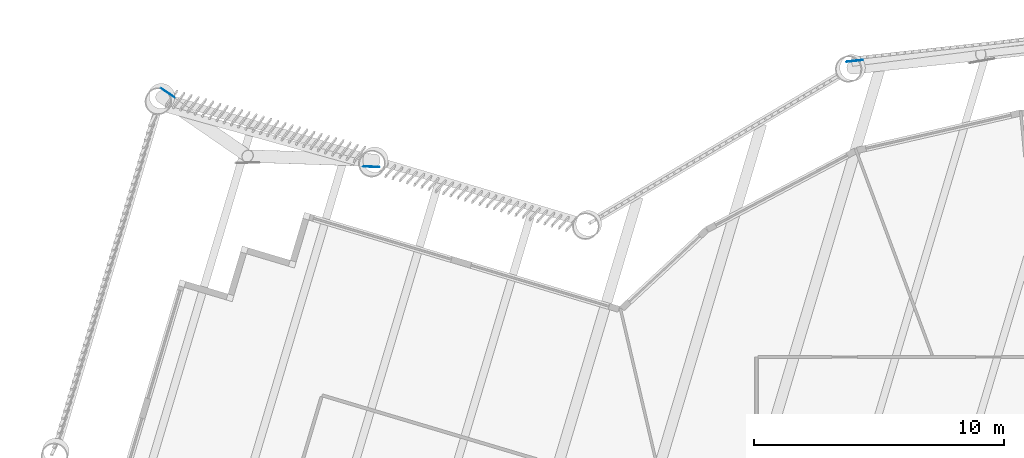
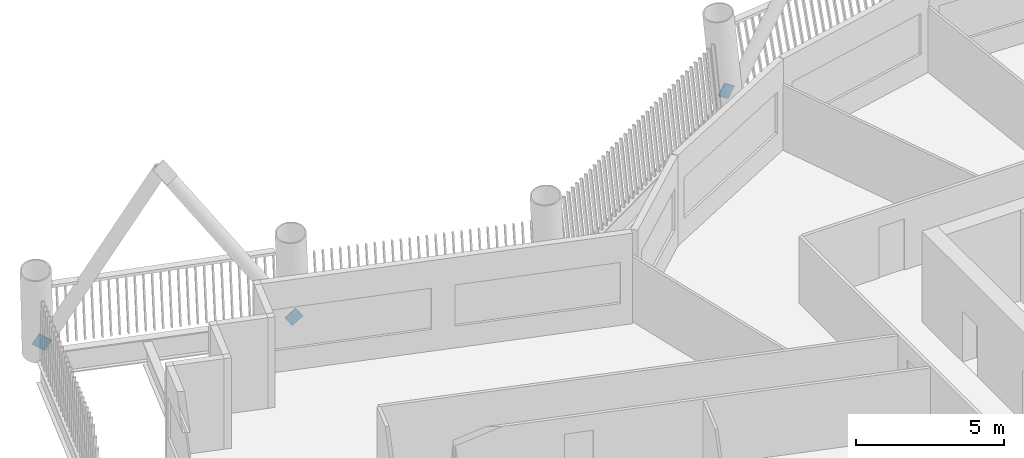
# One storey, part 15 of 24: 3 discrete accessories.
"""IFC4 building model written with IfcOpenShell, lengths in metres."""

from ifc_helpers import new_model, si_unit, direction, frame, origin, origin_2d, place, context, subcontext, project, spatial, rectangle, extrude, material, material_profile, profile_set, type_object, element, save


model = new_model("IFC4")

# Units and contexts
model_context = context("Model", 3, precision=1e-05, world=origin(), true_north=direction((0.0, 1.0)))
body_context = subcontext(model_context, "Body", "Model", "MODEL_VIEW")
ifc_project = project(units=[si_unit("LENGTHUNIT", "METRE"), si_unit("AREAUNIT", "SQUARE_METRE"), si_unit("VOLUMEUNIT", "CUBIC_METRE"), si_unit("PLANEANGLEUNIT", "RADIAN"), si_unit("MASSUNIT", "GRAM", prefix="KILO")], contexts=[model_context])

# Site, building, storey
site_placement = place(None, origin())
site = spatial("IfcSite", under=ifc_project, at=site_placement, CompositionType="ELEMENT")
building_placement = place(site_placement, origin())
building = spatial("IfcBuilding", under=site, at=building_placement, Name="Tarsis Ring Headquarters", CompositionType="ELEMENT")
storey_placement = place(building_placement, frame((0.0, 0.0, 216.0)))
storey = spatial("IfcBuildingStorey", under=building, at=storey_placement, Name="L50", CompositionType="ELEMENT", Elevation=216.0)

# Discrete accessories
ifc_material = material(Name="Structural steel S355", Category="steel")
ifc_material_profile = material_profile(ifc_material, rectangle(XDim=0.02490234375, YDim=0.5, at=origin_2d()), Name="PL 25x500")
ifc_profile_set = profile_set([ifc_material_profile], Name="Structural steel S355")
discrete_accessory_type = type_object("IfcDiscreteAccessoryType", Name="Gusset plate Exo brace 25", PredefinedType="BRACKET", material=ifc_profile_set)
for number, where, z_axis, x_axis, name in (
    (1, (-9.210693359375, 27.823974609375, 0.0), (0.549685374684, 0.058581034602, 0.833315217216), (-0.105971843431, 0.994369130856, 0.0), "Gusset plate GP5"),
    (2, (-28.265625, 23.60107421875, 0.0), (-0.546357345517, 0.018065435017, 0.837357325792), (-0.033047176351, -0.999453792897, 0.0), "Gusset plate GP5"),
    (3, (-36.63671875, 26.6298828125, 0.0), (0.38914480157, -0.268055829438, 0.88131288185), (0.567274091923, 0.823529055124, 0.0), "Gusset plate GP5"),
):
    element("IfcDiscreteAccessory", number, at=place(storey_placement, frame(where, z_axis=z_axis, x_axis=x_axis)), inside=storey, type_object=discrete_accessory_type, Name=name, PredefinedType="BRACKET", context=body_context, shape_type="SweptSolid", body=[
        extrude(rectangle(XDim=0.02490234375, YDim=0.5, at=origin_2d()), origin(), (0.0, 0.0, 1.0), 0.5),
    ])

save(model, "model.ifc")
